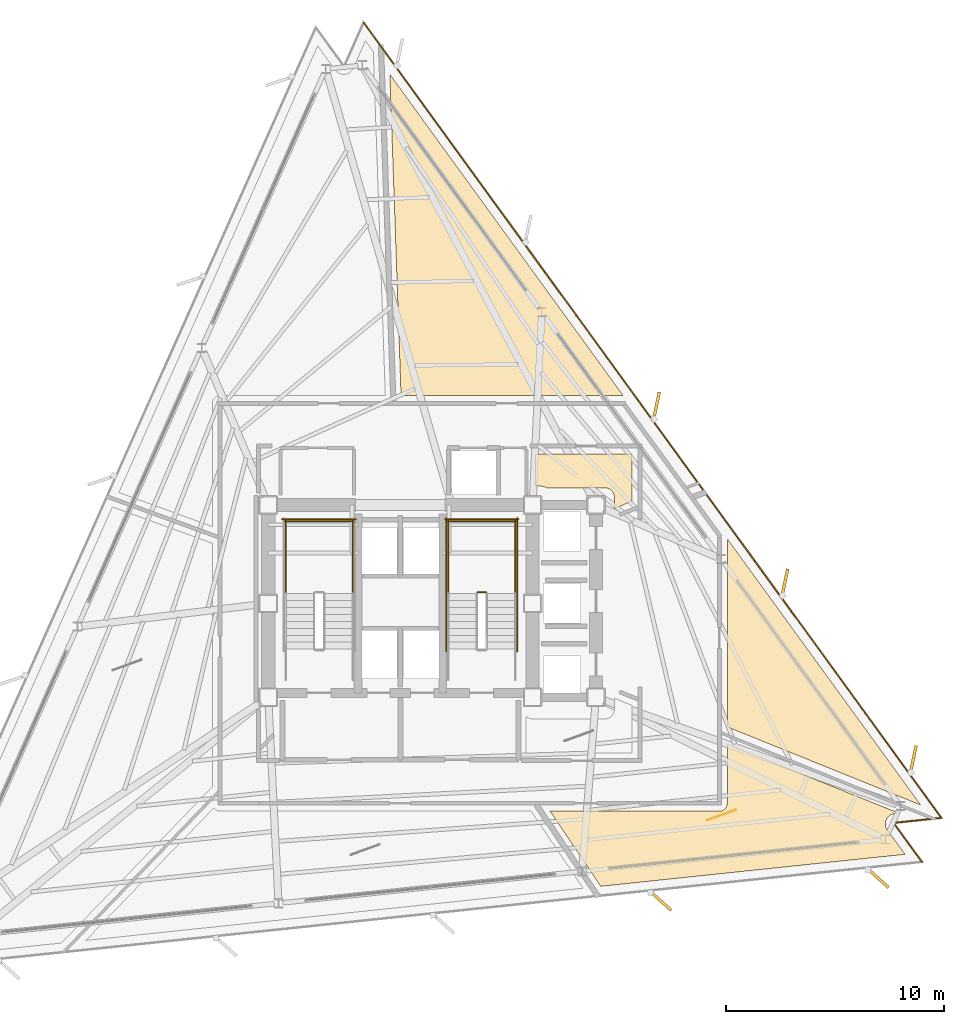
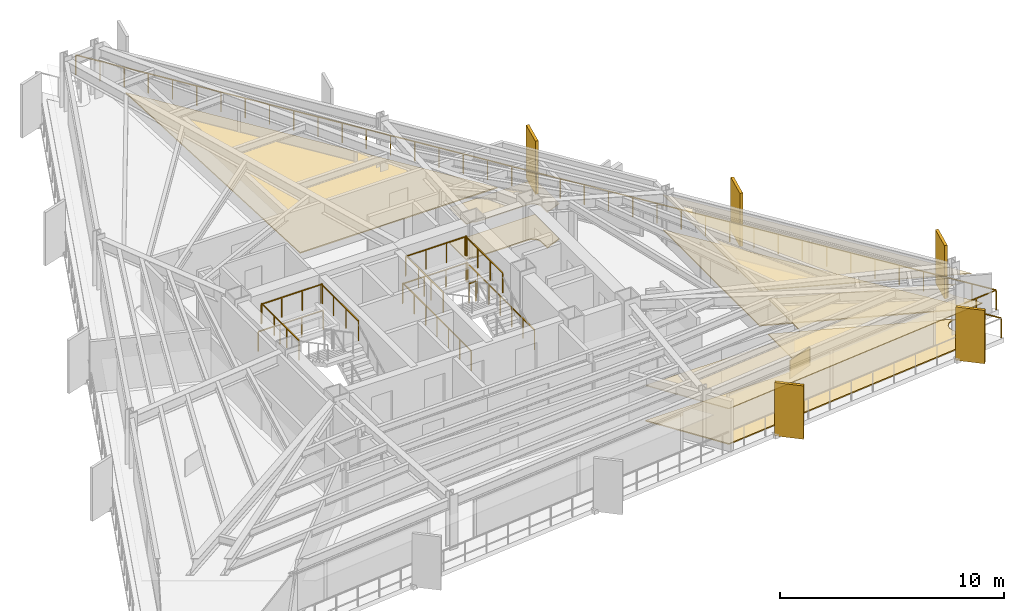
# One storey, part 12 of 13: 12 railings, 8 coverings, 5 shading devices.
"""IFC4 building model written with IfcOpenShell, lengths in metres."""

import ifcopenshell
import ifcopenshell.guid

model = None  # the IFC model being written
_history = None  # IfcOwnerHistory: only IFC2X3 demands one
_inside = {}  # id of a spatial element -> (the spatial element, [elements in it])
_under = {}  # id of a project, library or spatial element -> (it, [spatial elements below it])
_declared = {}  # id of a project -> (the project, [libraries it declares])
_typed = {}  # id of a type object -> (the type object, [elements of that type])
_made_of = {}  # id of a material, layer set ... -> (it, [elements and type objects made of it])


def new_model(schema):
    """Start an empty IFC model of exactly this schema.

    Asked for "IFC4X3", IfcOpenShell would pick the latest addendum, in which some entities
    have other attributes; the version numbers below select the first issue.
    IFC2X3 requires an IfcOwnerHistory on every rooted entity: one is made here for all.
    """
    global model, _history
    if schema == "IFC4X3":
        model = ifcopenshell.file(schema_version=(4, 3, 0, 0))
    else:
        model = ifcopenshell.file(schema=schema)
    _inside.clear()
    _under.clear()
    _declared.clear()
    _typed.clear()
    _made_of.clear()
    _history = None
    if model.schema == "IFC2X3":
        org = make("IfcOrganization", Name="unknown")
        user = make(
            "IfcPersonAndOrganization",
            ThePerson=make("IfcPerson", FamilyName="unknown"),
            TheOrganization=org,
        )
        app = make(
            "IfcApplication",
            ApplicationDeveloper=org,
            Version="unknown",
            ApplicationFullName="unknown",
            ApplicationIdentifier="unknown",
        )
        _history = make(
            "IfcOwnerHistory",
            OwningUser=user,
            OwningApplication=app,
            ChangeAction="ADDED",
            CreationDate=0,
        )
    return model


def make(cls, **values):
    """One entity of the class cls with the attributes given. An attribute that is None is left unset."""
    return model.create_entity(
        cls, **{name: value for name, value in values.items() if value is not None}
    )


def rooted(cls, **values):
    """An entity with a GlobalId (a new one), such as an element, a storey or a relation."""
    return make(cls, GlobalId=ifcopenshell.guid.new(), OwnerHistory=_history, **values)


def si_unit(unit_type, name, prefix=None):
    """IfcSIUnit, for example si_unit("LENGTHUNIT", "METRE", prefix="MILLI")."""
    return make("IfcSIUnit", UnitType=unit_type, Prefix=prefix, Name=name)


def assignment(units):
    """IfcUnitAssignment: the units of a project."""
    return None if units is None else make("IfcUnitAssignment", Units=units)


def point(xyz):
    """IfcCartesianPoint."""
    return None if xyz is None else make("IfcCartesianPoint", Coordinates=xyz)


def direction(xyz):
    """IfcDirection."""
    return None if xyz is None else make("IfcDirection", DirectionRatios=xyz)


def frame(location, z_axis=None, x_axis=None):
    """IfcAxis2Placement3D, a coordinate frame: its origin and axes. An axis left out is left unset."""
    return make(
        "IfcAxis2Placement3D",
        Location=point(location),
        Axis=direction(z_axis),
        RefDirection=direction(x_axis),
    )


def frame_2d(location, x_axis=None):
    """IfcAxis2Placement2D, a coordinate frame in the plane: its origin and x axis."""
    return make(
        "IfcAxis2Placement2D", Location=point(location), RefDirection=direction(x_axis)
    )


def origin():
    """The frame at (0, 0, 0) with its axes left unset."""
    return frame((0.0, 0.0, 0.0))


def origin_2d():
    """The frame at (0, 0) in the plane with its x axis left unset."""
    return frame_2d((0.0, 0.0))


def place(relative_to, where):
    """IfcLocalPlacement: puts the frame where relative to a parent placement (None: the world)."""
    return make(
        "IfcLocalPlacement", PlacementRelTo=relative_to, RelativePlacement=where
    )


def context(
    kind, dimensions, precision=None, world=None, true_north=None, identifier=None
):
    """IfcGeometricRepresentationContext, for example the 3D "Model" context."""
    return make(
        "IfcGeometricRepresentationContext",
        ContextIdentifier=identifier,
        ContextType=kind,
        CoordinateSpaceDimension=dimensions,
        Precision=precision,
        WorldCoordinateSystem=world,
        TrueNorth=true_north,
    )


def subcontext(parent, identifier, kind, view, scale=None):
    """IfcGeometricRepresentationSubContext, for example "Body" below "Model"."""
    return make(
        "IfcGeometricRepresentationSubContext",
        ContextIdentifier=identifier,
        ContextType=kind,
        ParentContext=parent,
        TargetScale=scale,
        TargetView=view,
    )


def project(units=None, contexts=None):
    """IfcProject with its units and contexts."""
    return rooted(
        "IfcProject",
        Name="project",
        RepresentationContexts=contexts,
        UnitsInContext=assignment(units),
    )


def spatial(cls, under=None, at=None, **own):
    """A site, building, storey or space (cls), placed at a placement, below another one or the project."""
    s = rooted(cls, ObjectPlacement=at, **own)
    if under is not None:
        _under.setdefault(under.id(), (under, []))[1].append(s)
    return s


def polyline(points):
    """IfcPolyline through the points."""
    return make("IfcPolyline", Points=[point(p) for p in points])


def profile(cls, at=None, kind="AREA", **sizes):
    """A parametric profile (cls). Its sizes go by their IFC names, for example OverallWidth=200.0."""
    return make(cls, ProfileType=kind, Position=at, **sizes)


def rectangle(**sizes):
    """IfcRectangleProfileDef."""
    return profile("IfcRectangleProfileDef", **sizes)


def outline(outer, holes=None, kind="AREA"):
    """IfcArbitraryClosedProfileDef: a profile drawn as a closed curve; with holes, ...WithVoids."""
    if holes is None:
        return make("IfcArbitraryClosedProfileDef", ProfileType=kind, OuterCurve=outer)
    return make(
        "IfcArbitraryProfileDefWithVoids",
        ProfileType=kind,
        OuterCurve=outer,
        InnerCurves=holes,
    )


def extrude(swept, where, along, depth):
    """IfcExtrudedAreaSolid: the profile swept, set in the frame where, extruded along a direction by depth."""
    return make(
        "IfcExtrudedAreaSolid",
        SweptArea=swept,
        Position=where,
        ExtrudedDirection=direction(along),
        Depth=depth,
    )


def shape(context_of_items, identifier, shape_type, items):
    """IfcShapeRepresentation: the items that make up one representation, for example the "Body"."""
    return make(
        "IfcShapeRepresentation",
        ContextOfItems=context_of_items,
        RepresentationIdentifier=identifier,
        RepresentationType=shape_type,
        Items=items,
    )


def material(Name=None, Category=None):
    """IfcMaterial."""
    return make("IfcMaterial", Name=Name, Category=Category)


def layer(
    of_material, thickness, ventilated=None, Name=None, Category=None, Priority=None
):
    """IfcMaterialLayer: one layer of a wall or slab, of a material (None: an air gap)."""
    return make(
        "IfcMaterialLayer",
        Material=of_material,
        LayerThickness=thickness,
        IsVentilated=ventilated,
        Name=Name,
        Category=Category,
        Priority=Priority,
    )


def layer_set(layers, Name=None):
    """IfcMaterialLayerSet."""
    return make("IfcMaterialLayerSet", MaterialLayers=layers, LayerSetName=Name)


def made_of(thing, what):
    """Note that an element or type object is made of a material, layer set ...; save() writes the relation."""
    if what is not None:
        _made_of.setdefault(what.id(), (what, []))[1].append(thing)
    return thing


def type_object(cls, material=None, **own):
    """A type object (cls), such as IfcWallType, which elements share."""
    return made_of(rooted(cls, **own), material)


def element(
    cls,
    number,
    at=None,
    inside=None,
    cuts=None,
    type_object=None,
    material=None,
    context=None,
    identifier="Body",
    shape_type=None,
    held_by="IfcProductDefinitionShape",
    body=None,
    shapes=None,
    **own,
):
    """One element of the class cls, such as IfcWall. Its Tag is "e" and its number.

    at: its placement. inside: the storey or other place that contains it. cuts: it is an
    opening in that element (IfcRelVoidsElement). A single representation is given by context,
    identifier, shape_type and body (its items); several are given by shapes. held_by: the class
    of the entity that holds the representations. save() writes the other relations.
    """
    e = rooted(cls, Tag="e%d" % number, ObjectPlacement=at, **own)
    if body is not None:
        shapes = [shape(context, identifier, shape_type, body)]
    if shapes is not None:
        e.Representation = make(held_by, Representations=shapes)
    if inside is not None:
        _inside.setdefault(inside.id(), (inside, []))[1].append(e)
    if cuts is not None:
        rooted(
            "IfcRelVoidsElement", RelatingBuildingElement=cuts, RelatedOpeningElement=e
        )
    if type_object is not None:
        _typed.setdefault(type_object.id(), (type_object, []))[1].append(e)
    return made_of(e, material)


def aggregate(whole, parts):
    """IfcRelAggregates: a whole, such as a stair, and the parts it consists of."""
    return rooted("IfcRelAggregates", RelatingObject=whole, RelatedObjects=parts)


def save(model, path):
    """Write the relations noted so far, then the file.

    IfcRelAggregates (storeys below a building ...), IfcRelContainedInSpatialStructure (elements
    in a storey), IfcRelDefinesByType, IfcRelAssociatesMaterial and IfcRelDeclares: one each for
    every whole, place, type object, material and project.
    """
    for whole, parts in _under.values():
        aggregate(whole, parts)
    for where, things in _inside.values():
        rooted(
            "IfcRelContainedInSpatialStructure",
            RelatedElements=things,
            RelatingStructure=where,
        )
    for kind, things in _typed.values():
        rooted("IfcRelDefinesByType", RelatedObjects=things, RelatingType=kind)
    for what, things in _made_of.values():
        rooted("IfcRelAssociatesMaterial", RelatedObjects=things, RelatingMaterial=what)
    for by, libraries in _declared.values():
        rooted("IfcRelDeclares", RelatingContext=by, RelatedDefinitions=libraries)
    model.write(path)


model = new_model("IFC4")

# Units and contexts
model_context = context("Model", 3, precision=1e-05, world=origin(), true_north=direction((0.0, 1.0)))
body_context = subcontext(model_context, "Body", "Model", "MODEL_VIEW")
ifc_project = project(units=[si_unit("LENGTHUNIT", "METRE"), si_unit("AREAUNIT", "SQUARE_METRE"), si_unit("VOLUMEUNIT", "CUBIC_METRE"), si_unit("PLANEANGLEUNIT", "RADIAN"), si_unit("MASSUNIT", "GRAM", prefix="KILO")], contexts=[model_context])

# Site, building, storey
site_placement = place(None, origin())
site = spatial("IfcSite", under=ifc_project, at=site_placement, CompositionType="ELEMENT")
building_placement = place(site_placement, origin())
building = spatial("IfcBuilding", under=site, at=building_placement, Name="Rocaltana Carrier Exchange", CompositionType="ELEMENT")
storey_placement = place(building_placement, frame((0.0, 0.0, 119.840087890625)))
storey = spatial("IfcBuildingStorey", under=building, at=storey_placement, Name="L37", CompositionType="ELEMENT", Elevation=119.840087890625)

# Coverings
ifc_material_1 = material(Name="Calcium Sulphate & Aluminium Pedestal", Category="aluminium")
ifc_layer_1 = layer(ifc_material_1, 0.06005859375)
ifc_layer_set_1 = layer_set([ifc_layer_1], Name="Calcium Sulphate & Aluminium Pedestal")
covering_type_1 = type_object("IfcCoveringType", Name="Anti-Static Raised Exchange Access Floor 60", PredefinedType="FLOORING", material=ifc_layer_set_1)
covering_1_placement = place(storey_placement, origin())
element("IfcCovering", 1, at=covering_1_placement, inside=storey, type_object=covering_type_1, Name="L37 Optical Switching Laboratory Finish Floor", PredefinedType="FLOORING", context=body_context, shape_type="SweptSolid", body=[
    extrude(outline(polyline([(22.62939453125, -9.620361328125), (22.61572265625, -9.6220703125), (22.595947265625, -9.625244140625), (22.568603515625, -9.630859375), (22.54931640625, -9.635986328125), (22.522705078125, -9.644287109375), (22.50390625, -9.651123046875), (22.478271484375, -9.662109375), (22.46044921875, -9.6708984375), (22.43603515625, -9.684326171875), (22.4189453125, -9.69482421875), (22.39599609375, -9.710693359375), (22.380126953125, -9.722900390625), (22.35888671875, -9.74072265625), (22.344482421875, -9.75439453125), (22.324951171875, -9.774658203125), (22.311767578125, -9.78955078125), (22.294677734375, -9.8115234375), (22.282958984375, -9.82763671875), (22.26806640625, -9.851318359375), (22.258056640625, -9.86865234375), (22.24560546875, -9.8935546875), (22.2373046875, -9.91162109375), (22.227294921875, -9.937744140625), (22.220947265625, -9.956787109375), (22.213623046875, -9.983642578125), (22.209228515625, -10.0029296875), (22.20458984375, -10.030517578125), (22.2021484375, -10.05029296875), (22.2001953125, -10.078125), (22.19970703125, -10.09814453125), (22.20068359375, -10.1259765625), (22.202392578125, -10.14599609375), (22.205810546875, -10.173583984375), (22.20947265625, -10.193115234375), (22.2158203125, -10.220458984375), (22.22119140625, -10.239501953125), (22.230224609375, -10.26611328125), (22.23779296875, -10.284423828125), (22.249267578125, -10.309814453125), (22.258544921875, -10.32763671875), (22.272705078125, -10.351806640625), (22.283447265625, -10.368408203125), (22.29150390625, -10.3798828125), (23.095947265625, -11.487060546875), (9.169677734375, -12.95068359375), (6.848876953125, -9.510009765625), (14.60009765625, -9.510009765625), (14.61376953125, -9.509765625), (14.62158203125, -9.50927734375), (14.64892578125, -9.506591796875), (14.65673828125, -9.50537109375), (14.68359375, -9.5), (14.69140625, -9.498291015625), (14.717529296875, -9.490234375), (14.724853515625, -9.487548828125), (14.750244140625, -9.47705078125), (14.75732421875, -9.4736328125), (14.78173828125, -9.460693359375), (14.788330078125, -9.456787109375), (14.811279296875, -9.44140625), (14.8173828125, -9.436767578125), (14.8388671875, -9.419189453125), (14.844482421875, -9.4140625), (14.864013671875, -9.39453125), (14.869384765625, -9.388916015625), (14.88671875, -9.367431640625), (14.891357421875, -9.361083984375), (14.90673828125, -9.33837890625), (14.91064453125, -9.331787109375), (14.923583984375, -9.307373046875), (14.927001953125, -9.30029296875), (14.9375, -9.27490234375), (14.940185546875, -9.267578125), (14.9482421875, -9.2412109375), (14.9501953125, -9.233642578125), (14.955322265625, -9.206787109375), (14.95654296875, -9.198974609375), (14.959228515625, -9.171630859375), (14.959716796875, -9.163818359375), (14.9599609375, -9.14990234375), (14.9599609375, -6.4326171875), (22.8046875, -9.601806640625), (22.62939453125, -9.620361328125)])), origin(), (0.0, 0.0, 1.0), 0.059814453125),
])
covering_2_placement = place(storey_placement, origin())
element("IfcCovering", 2, at=covering_2_placement, inside=storey, type_object=covering_type_1, Name="L37 Quiet Focus Lounge Finish Floor", PredefinedType="FLOORING", context=body_context, shape_type="SweptSolid", body=[
    extrude(outline(polyline([(14.9599609375, 2.952392578125), (23.813232421875, -9.23291015625), (14.9599609375, -5.656005859375), (14.9599609375, 2.952392578125)])), origin(), (0.0, 0.0, 1.0), 0.059814453125),
])
covering_3_placement = place(storey_placement, origin())
element("IfcCovering", 3, at=covering_3_placement, inside=storey, type_object=covering_type_1, Name="L37 Peering Conference Room Finish Floor", PredefinedType="FLOORING", context=body_context, shape_type="SweptSolid", body=[
    extrude(outline(polyline([(6.18994140625, 6.840087890625), (10.60009765625, 6.840087890625), (10.60009765625, 4.6708984375), (9.7900390625, 4.34375), (9.7900390625, 4.85009765625), (9.789794921875, 4.86376953125), (9.788818359375, 4.87939453125), (9.7861328125, 4.90673828125), (9.783935546875, 4.92236328125), (9.778564453125, 4.94921875), (9.774658203125, 4.964599609375), (9.7666015625, 4.99072265625), (9.761474609375, 5.005615234375), (9.7509765625, 5.031005859375), (9.744140625, 5.045166015625), (9.731201171875, 5.0693359375), (9.72314453125, 5.082763671875), (9.7080078125, 5.105712890625), (9.698486328125, 5.118408203125), (9.68115234375, 5.139404296875), (9.670654296875, 5.151123046875), (9.651123046875, 5.170654296875), (9.639404296875, 5.18115234375), (9.618408203125, 5.198486328125), (9.605712890625, 5.2080078125), (9.582763671875, 5.22314453125), (9.5693359375, 5.231201171875), (9.545166015625, 5.244140625), (9.531005859375, 5.2509765625), (9.505615234375, 5.261474609375), (9.49072265625, 5.2666015625), (9.464599609375, 5.274658203125), (9.44921875, 5.278564453125), (9.42236328125, 5.283935546875), (9.40673828125, 5.2861328125), (9.37939453125, 5.288818359375), (9.36376953125, 5.289794921875), (9.35009765625, 5.2900390625), (6.6875, 5.2900390625), (6.682861328125, 5.293212890625), (6.66943359375, 5.30126953125), (6.64501953125, 5.314208984375), (6.630859375, 5.32080078125), (6.605712890625, 5.33154296875), (6.5908203125, 5.336669921875), (6.564453125, 5.3447265625), (6.54931640625, 5.348388671875), (6.522216796875, 5.35400390625), (6.5068359375, 5.356201171875), (6.4794921875, 5.35888671875), (6.463623046875, 5.359619140625), (6.449951171875, 5.360107421875), (6.18994140625, 5.360107421875), (6.18994140625, 6.840087890625)])), origin(), (0.0, 0.0, 1.0), 0.059814453125),
])
covering_4_placement = place(storey_placement, origin())
element("IfcCovering", 4, at=covering_4_placement, inside=storey, type_object=covering_type_1, Name="L37 Quiet Focus Lounge Finish Floor", PredefinedType="FLOORING", context=body_context, shape_type="SweptSolid", body=[
    extrude(outline(polyline([(10.19580078125, 9.510009765625), (0.028076171875, 9.510009765625), (-0.485107421875, 24.2109375), (10.19580078125, 9.510009765625)])), origin(), (0.0, 0.0, 1.0), 0.059814453125),
])
ifc_material_2 = material(Name="Mineral Fibre & Powder-Coated Aluminium", Category="aluminium")
ifc_layer_2 = layer(ifc_material_2, 0.044921875)
ifc_layer_set_2 = layer_set([ifc_layer_2], Name="Mineral Fibre & Powder-Coated Aluminium")
covering_type_2 = type_object("IfcCoveringType", Name="Micro-Perforated Acoustic Ceiling 45", PredefinedType="CEILING", material=ifc_layer_set_2)
covering_5_placement = place(storey_placement, frame((0.0, 0.0, 1.932861328125)))
element("IfcCovering", 5, at=covering_5_placement, inside=storey, type_object=covering_type_2, Name="L37 Optical Switching Laboratory Acoustic Ceiling", PredefinedType="CEILING", context=body_context, shape_type="SweptSolid", body=[
    extrude(outline(polyline([(22.62939453125, -9.620361328125), (22.61572265625, -9.6220703125), (22.595947265625, -9.625244140625), (22.568603515625, -9.630859375), (22.54931640625, -9.635986328125), (22.522705078125, -9.644287109375), (22.50390625, -9.651123046875), (22.478271484375, -9.662109375), (22.46044921875, -9.6708984375), (22.43603515625, -9.684326171875), (22.4189453125, -9.69482421875), (22.39599609375, -9.710693359375), (22.380126953125, -9.722900390625), (22.35888671875, -9.74072265625), (22.344482421875, -9.75439453125), (22.324951171875, -9.774658203125), (22.311767578125, -9.78955078125), (22.294677734375, -9.8115234375), (22.282958984375, -9.82763671875), (22.26806640625, -9.851318359375), (22.258056640625, -9.86865234375), (22.24560546875, -9.8935546875), (22.2373046875, -9.91162109375), (22.227294921875, -9.937744140625), (22.220947265625, -9.956787109375), (22.213623046875, -9.983642578125), (22.209228515625, -10.0029296875), (22.20458984375, -10.030517578125), (22.2021484375, -10.05029296875), (22.2001953125, -10.078125), (22.19970703125, -10.09814453125), (22.20068359375, -10.1259765625), (22.202392578125, -10.14599609375), (22.205810546875, -10.173583984375), (22.20947265625, -10.193115234375), (22.2158203125, -10.220458984375), (22.22119140625, -10.239501953125), (22.230224609375, -10.26611328125), (22.23779296875, -10.284423828125), (22.249267578125, -10.309814453125), (22.258544921875, -10.32763671875), (22.272705078125, -10.351806640625), (22.283447265625, -10.368408203125), (22.29150390625, -10.3798828125), (23.095947265625, -11.487060546875), (9.169677734375, -12.95068359375), (6.848876953125, -9.510009765625), (14.60009765625, -9.510009765625), (14.61376953125, -9.509765625), (14.62158203125, -9.50927734375), (14.64892578125, -9.506591796875), (14.65673828125, -9.50537109375), (14.68359375, -9.5), (14.69140625, -9.498291015625), (14.717529296875, -9.490234375), (14.724853515625, -9.487548828125), (14.750244140625, -9.47705078125), (14.75732421875, -9.4736328125), (14.78173828125, -9.460693359375), (14.788330078125, -9.456787109375), (14.811279296875, -9.44140625), (14.8173828125, -9.436767578125), (14.8388671875, -9.419189453125), (14.844482421875, -9.4140625), (14.864013671875, -9.39453125), (14.869384765625, -9.388916015625), (14.88671875, -9.367431640625), (14.891357421875, -9.361083984375), (14.90673828125, -9.33837890625), (14.91064453125, -9.331787109375), (14.923583984375, -9.307373046875), (14.927001953125, -9.30029296875), (14.9375, -9.27490234375), (14.940185546875, -9.267578125), (14.9482421875, -9.2412109375), (14.9501953125, -9.233642578125), (14.955322265625, -9.206787109375), (14.95654296875, -9.198974609375), (14.959228515625, -9.171630859375), (14.959716796875, -9.163818359375), (14.9599609375, -9.14990234375), (14.9599609375, -6.4326171875), (22.8046875, -9.601806640625), (22.62939453125, -9.620361328125)])), origin(), (0.0, 0.0, 1.0), 0.045166015625),
])
covering_6_placement = place(storey_placement, frame((0.0, 0.0, 1.932861328125)))
element("IfcCovering", 6, at=covering_6_placement, inside=storey, type_object=covering_type_2, Name="L37 Quiet Focus Lounge Acoustic Ceiling", PredefinedType="CEILING", context=body_context, shape_type="SweptSolid", body=[
    extrude(outline(polyline([(14.9599609375, 2.952392578125), (23.813232421875, -9.23291015625), (14.9599609375, -5.656005859375), (14.9599609375, 2.952392578125)])), origin(), (0.0, 0.0, 1.0), 0.045166015625),
])
covering_7_placement = place(storey_placement, frame((0.0, 0.0, 1.932861328125)))
element("IfcCovering", 7, at=covering_7_placement, inside=storey, type_object=covering_type_2, Name="L37 Peering Conference Room Acoustic Ceiling", PredefinedType="CEILING", context=body_context, shape_type="SweptSolid", body=[
    extrude(outline(polyline([(6.18994140625, 6.840087890625), (10.60009765625, 6.840087890625), (10.60009765625, 4.6708984375), (9.7900390625, 4.34375), (9.7900390625, 4.85009765625), (9.789794921875, 4.86376953125), (9.788818359375, 4.87939453125), (9.7861328125, 4.90673828125), (9.783935546875, 4.92236328125), (9.778564453125, 4.94921875), (9.774658203125, 4.964599609375), (9.7666015625, 4.99072265625), (9.761474609375, 5.005615234375), (9.7509765625, 5.031005859375), (9.744140625, 5.045166015625), (9.731201171875, 5.0693359375), (9.72314453125, 5.082763671875), (9.7080078125, 5.105712890625), (9.698486328125, 5.118408203125), (9.68115234375, 5.139404296875), (9.670654296875, 5.151123046875), (9.651123046875, 5.170654296875), (9.639404296875, 5.18115234375), (9.618408203125, 5.198486328125), (9.605712890625, 5.2080078125), (9.582763671875, 5.22314453125), (9.5693359375, 5.231201171875), (9.545166015625, 5.244140625), (9.531005859375, 5.2509765625), (9.505615234375, 5.261474609375), (9.49072265625, 5.2666015625), (9.464599609375, 5.274658203125), (9.44921875, 5.278564453125), (9.42236328125, 5.283935546875), (9.40673828125, 5.2861328125), (9.37939453125, 5.288818359375), (9.36376953125, 5.289794921875), (9.35009765625, 5.2900390625), (6.6875, 5.2900390625), (6.682861328125, 5.293212890625), (6.66943359375, 5.30126953125), (6.64501953125, 5.314208984375), (6.630859375, 5.32080078125), (6.605712890625, 5.33154296875), (6.5908203125, 5.336669921875), (6.564453125, 5.3447265625), (6.54931640625, 5.348388671875), (6.522216796875, 5.35400390625), (6.5068359375, 5.356201171875), (6.4794921875, 5.35888671875), (6.463623046875, 5.359619140625), (6.449951171875, 5.360107421875), (6.18994140625, 5.360107421875), (6.18994140625, 6.840087890625)])), origin(), (0.0, 0.0, 1.0), 0.045166015625),
])

# Railings
ifc_material_3 = material(Name="Powder-Coated Aluminium 6063-T6", Category="aluminium")
ifc_layer_3 = layer(ifc_material_3, 0.048095703125)
ifc_layer_set_3 = layer_set([ifc_layer_3], Name="Powder-Coated Aluminium 6063-T6")
railing_type_1 = type_object("IfcRailingType", Name="Stair Well Guardrail 1100", PredefinedType="GUARDRAIL", material=ifc_layer_set_3)
for number, where, name in (
    (8, (-2.18994140625, 0.4599609375, 1.52001953125), "L37 ST-1 stair guard 3"),
    (9, (-5.25, 0.4599609375, 1.52001953125), "L37 ST-1 stair guard 4"),
):
    element("IfcRailing", number, at=place(storey_placement, frame(where)), inside=storey, type_object=railing_type_1, Name=name, PredefinedType="GUARDRAIL", context=body_context, shape_type="SweptSolid", body=[
        extrude(rectangle(XDim=0.048095703125, YDim=0.048095703125, at=origin_2d()), frame((0.0, 0.0, 1.076171875), z_axis=(0.0, 1.0, 0.0), x_axis=(-1.0, 0.0, 0.0)), (0.0, 0.0, 1.0), 3.340087890625),
        extrude(rectangle(XDim=0.0419921875, YDim=0.0419921875, at=origin_2d()), origin(), (0.0, 0.0, 1.0), 1.052001953125),
        extrude(rectangle(XDim=0.0419921875, YDim=0.0419921875, at=origin_2d()), frame((0.0, 1.11328125, 0.0)), (0.0, 0.0, 1.0), 1.052001953125),
        extrude(rectangle(XDim=0.0419921875, YDim=0.0419921875, at=origin_2d()), frame((0.0, 2.226806640625, 0.0)), (0.0, 0.0, 1.0), 1.052001953125),
        extrude(rectangle(XDim=0.0419921875, YDim=0.0419921875, at=origin_2d()), frame((0.0, 3.340087890625, 0.0)), (0.0, 0.0, 1.0), 1.052001953125),
    ])
railing_1_placement = place(storey_placement, frame((-2.139892578125, 3.75, 1.52001953125)))
element("IfcRailing", 10, at=railing_1_placement, inside=storey, type_object=railing_type_1, Name="L37 ST-1 stair guard 5", PredefinedType="GUARDRAIL", context=body_context, shape_type="SweptSolid", body=[
    extrude(rectangle(XDim=0.048095703125, YDim=0.048095703125, at=origin_2d()), frame((0.0, 0.0, 1.076171875), z_axis=(-1.0, 0.0, 0.0), x_axis=(0.0, -1.0, 0.0)), (0.0, 0.0, 1.0), 3.16015625),
    extrude(rectangle(XDim=0.0419921875, YDim=0.0419921875, at=origin_2d()), origin(), (0.0, 0.0, 1.0), 1.052001953125),
    extrude(rectangle(XDim=0.0419921875, YDim=0.0419921875, at=origin_2d()), frame((-1.053466796875, 0.0, 0.0)), (0.0, 0.0, 1.0), 1.052001953125),
    extrude(rectangle(XDim=0.0419921875, YDim=0.0419921875, at=origin_2d()), frame((-2.106689453125, 0.0, 0.0)), (0.0, 0.0, 1.0), 1.052001953125),
    extrude(rectangle(XDim=0.0419921875, YDim=0.0419921875, at=origin_2d()), frame((-3.16015625, 0.0, 0.0)), (0.0, 0.0, 1.0), 1.052001953125),
])
railing_2_placement = place(storey_placement, frame((-2.0400390625, 3.85009765625, 0.0)))
element("IfcRailing", 11, at=railing_2_placement, inside=storey, type_object=railing_type_1, Name="L37 ST-1 stair guard 12", PredefinedType="GUARDRAIL", context=body_context, shape_type="SweptSolid", body=[
    extrude(rectangle(XDim=0.048095703125, YDim=0.048095703125, at=origin_2d()), frame((0.0, 0.0, 1.076171875), z_axis=(-1.0, 0.0, 0.0), x_axis=(0.0, -1.0, 0.0)), (0.0, 0.0, 1.0), 3.35986328125),
    extrude(rectangle(XDim=0.0419921875, YDim=0.0419921875, at=origin_2d()), origin(), (0.0, 0.0, 1.0), 1.052001953125),
    extrude(rectangle(XDim=0.0419921875, YDim=0.0419921875, at=origin_2d()), frame((-1.119873046875, 0.0, 0.0)), (0.0, 0.0, 1.0), 1.052001953125),
    extrude(rectangle(XDim=0.0419921875, YDim=0.0419921875, at=origin_2d()), frame((-2.239990234375, 0.0, 0.0)), (0.0, 0.0, 1.0), 1.052001953125),
    extrude(rectangle(XDim=0.0419921875, YDim=0.0419921875, at=origin_2d()), frame((-3.35986328125, 0.0, 0.0)), (0.0, 0.0, 1.0), 1.052001953125),
])
railing_3_placement = place(storey_placement, frame((3.89990234375, 0.510009765625, 1.52001953125)))
element("IfcRailing", 12, at=railing_3_placement, inside=storey, type_object=railing_type_1, Name="L37 ST-2 stair guard 2", PredefinedType="GUARDRAIL", context=body_context, shape_type="SweptSolid", body=[
    extrude(rectangle(XDim=0.048095703125, YDim=0.048095703125, at=origin_2d()), frame((0.0, 0.0, 1.076171875), z_axis=(-1.0, 0.0, 0.0), x_axis=(0.0, -1.0, 0.0)), (0.0, 0.0, 1.0), 0.35986328125),
    extrude(rectangle(XDim=0.0419921875, YDim=0.0419921875, at=origin_2d()), origin(), (0.0, 0.0, 1.0), 1.052001953125),
    extrude(rectangle(XDim=0.0419921875, YDim=0.0419921875, at=origin_2d()), frame((-0.35986328125, 0.0, 0.0)), (0.0, 0.0, 1.0), 1.052001953125),
])
for number, where, name in (
    (13, (5.25, 0.4599609375, 1.52001953125), "L37 ST-2 stair guard 3"),
    (14, (2.18994140625, 0.4599609375, 1.52001953125), "L37 ST-2 stair guard 4"),
):
    element("IfcRailing", number, at=place(storey_placement, frame(where)), inside=storey, type_object=railing_type_1, Name=name, PredefinedType="GUARDRAIL", context=body_context, shape_type="SweptSolid", body=[
        extrude(rectangle(XDim=0.048095703125, YDim=0.048095703125, at=origin_2d()), frame((0.0, 0.0, 1.076171875), z_axis=(0.0, 1.0, 0.0), x_axis=(-1.0, 0.0, 0.0)), (0.0, 0.0, 1.0), 3.340087890625),
        extrude(rectangle(XDim=0.0419921875, YDim=0.0419921875, at=origin_2d()), origin(), (0.0, 0.0, 1.0), 1.052001953125),
        extrude(rectangle(XDim=0.0419921875, YDim=0.0419921875, at=origin_2d()), frame((0.0, 1.11328125, 0.0)), (0.0, 0.0, 1.0), 1.052001953125),
        extrude(rectangle(XDim=0.0419921875, YDim=0.0419921875, at=origin_2d()), frame((0.0, 2.226806640625, 0.0)), (0.0, 0.0, 1.0), 1.052001953125),
        extrude(rectangle(XDim=0.0419921875, YDim=0.0419921875, at=origin_2d()), frame((0.0, 3.340087890625, 0.0)), (0.0, 0.0, 1.0), 1.052001953125),
    ])
railing_4_placement = place(storey_placement, frame((5.300048828125, 3.75, 1.52001953125)))
element("IfcRailing", 15, at=railing_4_placement, inside=storey, type_object=railing_type_1, Name="L37 ST-2 stair guard 5", PredefinedType="GUARDRAIL", context=body_context, shape_type="SweptSolid", body=[
    extrude(rectangle(XDim=0.048095703125, YDim=0.048095703125, at=origin_2d()), frame((0.0, 0.0, 1.076171875), z_axis=(-1.0, 0.0, 0.0), x_axis=(0.0, -1.0, 0.0)), (0.0, 0.0, 1.0), 3.16015625),
    extrude(rectangle(XDim=0.0419921875, YDim=0.0419921875, at=origin_2d()), origin(), (0.0, 0.0, 1.0), 1.052001953125),
    extrude(rectangle(XDim=0.0419921875, YDim=0.0419921875, at=origin_2d()), frame((-1.053466796875, 0.0, 0.0)), (0.0, 0.0, 1.0), 1.052001953125),
    extrude(rectangle(XDim=0.0419921875, YDim=0.0419921875, at=origin_2d()), frame((-2.106689453125, 0.0, 0.0)), (0.0, 0.0, 1.0), 1.052001953125),
    extrude(rectangle(XDim=0.0419921875, YDim=0.0419921875, at=origin_2d()), frame((-3.16015625, 0.0, 0.0)), (0.0, 0.0, 1.0), 1.052001953125),
])
for number, where, name in (
    (16, (5.35009765625, -2.199951171875, 0.0), "L37 ST-2 stair guard 10"),
    (17, (2.090087890625, -2.199951171875, 0.0), "L37 ST-2 stair guard 11"),
):
    element("IfcRailing", number, at=place(storey_placement, frame(where)), inside=storey, type_object=railing_type_1, Name=name, PredefinedType="GUARDRAIL", context=body_context, shape_type="SweptSolid", body=[
        extrude(rectangle(XDim=0.048095703125, YDim=0.048095703125, at=origin_2d()), frame((0.0, 0.0, 1.076171875), z_axis=(0.0, 1.0, 0.0), x_axis=(-1.0, 0.0, 0.0)), (0.0, 0.0, 1.0), 6.099853515625),
        extrude(rectangle(XDim=0.0419921875, YDim=0.0419921875, at=origin_2d()), origin(), (0.0, 0.0, 1.0), 1.052001953125),
        extrude(rectangle(XDim=0.0419921875, YDim=0.0419921875, at=origin_2d()), frame((0.0, 1.0166015625, 0.0)), (0.0, 0.0, 1.0), 1.052001953125),
        extrude(rectangle(XDim=0.0419921875, YDim=0.0419921875, at=origin_2d()), frame((0.0, 2.033203125, 0.0)), (0.0, 0.0, 1.0), 1.052001953125),
        extrude(rectangle(XDim=0.0419921875, YDim=0.0419921875, at=origin_2d()), frame((0.0, 3.0498046875, 0.0)), (0.0, 0.0, 1.0), 1.052001953125),
        extrude(rectangle(XDim=0.0419921875, YDim=0.0419921875, at=origin_2d()), frame((0.0, 4.066650390625, 0.0)), (0.0, 0.0, 1.0), 1.052001953125),
        extrude(rectangle(XDim=0.0419921875, YDim=0.0419921875, at=origin_2d()), frame((0.0, 5.083251953125, 0.0)), (0.0, 0.0, 1.0), 1.052001953125),
        extrude(rectangle(XDim=0.0419921875, YDim=0.0419921875, at=origin_2d()), frame((0.0, 6.099853515625, 0.0)), (0.0, 0.0, 1.0), 1.052001953125),
    ])
railing_5_placement = place(storey_placement, frame((5.39990234375, 3.85009765625, 0.0)))
element("IfcRailing", 18, at=railing_5_placement, inside=storey, type_object=railing_type_1, Name="L37 ST-2 stair guard 12", PredefinedType="GUARDRAIL", context=body_context, shape_type="SweptSolid", body=[
    extrude(rectangle(XDim=0.048095703125, YDim=0.048095703125, at=origin_2d()), frame((0.0, 0.0, 1.076171875), z_axis=(-1.0, 0.0, 0.0), x_axis=(0.0, -1.0, 0.0)), (0.0, 0.0, 1.0), 3.35986328125),
    extrude(rectangle(XDim=0.0419921875, YDim=0.0419921875, at=origin_2d()), origin(), (0.0, 0.0, 1.0), 1.052001953125),
    extrude(rectangle(XDim=0.0419921875, YDim=0.0419921875, at=origin_2d()), frame((-1.119873046875, 0.0, 0.0)), (0.0, 0.0, 1.0), 1.052001953125),
    extrude(rectangle(XDim=0.0419921875, YDim=0.0419921875, at=origin_2d()), frame((-2.239990234375, 0.0, 0.0)), (0.0, 0.0, 1.0), 1.052001953125),
    extrude(rectangle(XDim=0.0419921875, YDim=0.0419921875, at=origin_2d()), frame((-3.35986328125, 0.0, 0.0)), (0.0, 0.0, 1.0), 1.052001953125),
])

# Covering
ifc_material_4 = material(Name="Honed Piedra Muneca Sandstone", Category="masonry")
ifc_layer_4 = layer(ifc_material_4, 0.034912109375)
ifc_layer_set_4 = layer_set([ifc_layer_4], Name="Honed Piedra Muneca Sandstone")
covering_type_3 = type_object("IfcCoveringType", Name="Stone Facade Cladding 35", PredefinedType="CLADDING", material=ifc_layer_set_4)
covering_8_placement = place(storey_placement, frame((14.69873046875, -9.689697265625, 0.0), z_axis=(0.0, 0.0, 1.0), x_axis=(0.939692620786, 0.342020143326, 0.0)))
element("IfcCovering", 19, at=covering_8_placement, inside=storey, type_object=covering_type_3, Name="L37 Stone Facade Cladding Panel 4", PredefinedType="CLADDING", context=body_context, shape_type="SweptSolid", body=[
    extrude(rectangle(XDim=1.39990234375, YDim=0.034912109375, at=origin_2d()), origin(), (0.0, 0.0, 1.0), 1.050048828125),
])

# Shading devices
ifc_material_5 = material(Name="Honed Bogota Sandstone & Concrete C45/55", Category="masonry")
ifc_layer_5 = layer(ifc_material_5, 0.139892578125)
ifc_layer_set_5 = layer_set([ifc_layer_5], Name="Honed Bogota Sandstone & Concrete C45/55")
shading_device_type = type_object("IfcShadingDeviceType", Name="Vertical Sandstone Shading Fin 1320x140", PredefinedType="USERDEFINED", material=ifc_layer_set_5)
for number, where, z_axis, x_axis, name in (
    (20, (23.46826171875, -7.15771484375, -0.1201171875), (0.0, 0.0, 1.0), (0.207911690818, 0.978147600734, 0.0), "L37 Sandstone Vertical Fin F1-01"),
    (21, (17.590576171875, 0.932373046875, -0.1201171875), (0.0, 0.0, 1.0), (0.207911690818, 0.978147600734, 0.0), "L37 Sandstone Vertical Fin F1-02"),
    (22, (11.712646484375, 9.0224609375, -0.1201171875), (0.0, 0.0, 1.0), (0.207911690818, 0.978147600734, 0.0), "L37 Sandstone Vertical Fin F1-03"),
    (23, (11.902587890625, -13.609375, -0.1201171875), (0.0, 0.0, 1.0), (0.743144825477, -0.669130606359, 0.0), "L37 Sandstone Vertical Fin F3-04"),
    (24, (21.847900390625, -12.564208984375, -0.1201171875), (0.0, 0.0, 1.0), (0.743144825477, -0.669130606359, 0.0), "L37 Sandstone Vertical Fin F3-05"),
):
    element("IfcShadingDevice", number, at=place(storey_placement, frame(where, z_axis=z_axis, x_axis=x_axis)), inside=storey, type_object=shading_device_type, Name=name, ObjectType="FIN", PredefinedType="USERDEFINED", context=body_context, shape_type="SweptSolid", body=[
        extrude(rectangle(XDim=1.320068359375, YDim=0.139892578125, at=origin_2d()), origin(), (0.0, 0.0, 1.0), 2.907958984375),
    ])

# Railing
ifc_material_6 = material(Name="Powder-Coated Aluminium 6063-T6", Category="aluminium")
ifc_layer_6 = layer(ifc_material_6, 0.06005859375)
ifc_layer_set_6 = layer_set([ifc_layer_6], Name="Powder-Coated Aluminium 6063-T6")
railing_type_2 = type_object("IfcRailingType", Name="Wind-Floor & Terrace Perimeter Guardrail 1100", PredefinedType="GUARDRAIL", material=ifc_layer_set_6)
railing_6_placement = place(storey_placement, frame((-1.687744140625, 26.58056640625, 0.0)))
element("IfcRailing", 25, at=railing_6_placement, inside=storey, type_object=railing_type_2, Name="L37 Perimeter Balcony Guardrail 3", PredefinedType="GUARDRAIL", context=body_context, shape_type="SweptSolid", body=[
    extrude(rectangle(XDim=0.048095703125, YDim=0.048095703125, at=origin_2d()), frame((0.0, 0.0, 1.076171875), z_axis=(0.587786393813, -0.809016165011, 0.0), x_axis=(0.809016165011, 0.587786393813, 0.0)), (0.0, 0.0, 1.0), 44.9921875),
    extrude(rectangle(XDim=0.048095703125, YDim=0.048095703125, at=origin_2d()), frame((26.44580078125, -36.3994140625, 1.076171875), z_axis=(-0.994521251134, -0.104534592565, 0.0), x_axis=(0.104534592565, -0.994521251134, 0.0)), (0.0, 0.0, 1.0), 2.199951171875),
    extrude(rectangle(XDim=0.048095703125, YDim=0.048095703125, at=origin_2d()), frame((24.2578125, -36.62939453125, 1.076171875), z_axis=(0.587821928992, -0.808990345923, 0.0), x_axis=(0.808990345923, 0.587821928992, 0.0)), (0.0, 0.0, 1.0), 2.199951171875),
    extrude(rectangle(XDim=0.0419921875, YDim=0.0419921875, at=origin_2d()), origin(), (0.0, 0.0, 1.0), 1.052001953125),
    extrude(rectangle(XDim=0.0419921875, YDim=0.0419921875, at=origin_2d()), frame((0.696044921875, -0.957763671875, 0.0)), (0.0, 0.0, 1.0), 1.052001953125),
    extrude(rectangle(XDim=0.0419921875, YDim=0.0419921875, at=origin_2d()), frame((1.391845703125, -1.915771484375, 0.0)), (0.0, 0.0, 1.0), 1.052001953125),
    extrude(rectangle(XDim=0.0419921875, YDim=0.0419921875, at=origin_2d()), frame((2.087890625, -2.87353515625, 0.0)), (0.0, 0.0, 1.0), 1.052001953125),
    extrude(rectangle(XDim=0.0419921875, YDim=0.0419921875, at=origin_2d()), frame((2.78369140625, -3.83154296875, 0.0)), (0.0, 0.0, 1.0), 1.052001953125),
    extrude(rectangle(XDim=0.0419921875, YDim=0.0419921875, at=origin_2d()), frame((3.479736328125, -4.789306640625, 0.0)), (0.0, 0.0, 1.0), 1.052001953125),
    extrude(rectangle(XDim=0.0419921875, YDim=0.0419921875, at=origin_2d()), frame((4.175537109375, -5.747314453125, 0.0)), (0.0, 0.0, 1.0), 1.052001953125),
    extrude(rectangle(XDim=0.0419921875, YDim=0.0419921875, at=origin_2d()), frame((4.87158203125, -6.705078125, 0.0)), (0.0, 0.0, 1.0), 1.052001953125),
    extrude(rectangle(XDim=0.0419921875, YDim=0.0419921875, at=origin_2d()), frame((5.567626953125, -7.6630859375, 0.0)), (0.0, 0.0, 1.0), 1.052001953125),
    extrude(rectangle(XDim=0.0419921875, YDim=0.0419921875, at=origin_2d()), frame((6.263427734375, -8.620849609375, 0.0)), (0.0, 0.0, 1.0), 1.052001953125),
    extrude(rectangle(XDim=0.0419921875, YDim=0.0419921875, at=origin_2d()), frame((6.95947265625, -9.578857421875, 0.0)), (0.0, 0.0, 1.0), 1.052001953125),
    extrude(rectangle(XDim=0.0419921875, YDim=0.0419921875, at=origin_2d()), frame((7.6552734375, -10.53662109375, 0.0)), (0.0, 0.0, 1.0), 1.052001953125),
    extrude(rectangle(XDim=0.0419921875, YDim=0.0419921875, at=origin_2d()), frame((8.351318359375, -11.49462890625, 0.0)), (0.0, 0.0, 1.0), 1.052001953125),
    extrude(rectangle(XDim=0.0419921875, YDim=0.0419921875, at=origin_2d()), frame((9.04736328125, -12.452392578125, 0.0)), (0.0, 0.0, 1.0), 1.052001953125),
    extrude(rectangle(XDim=0.0419921875, YDim=0.0419921875, at=origin_2d()), frame((9.7431640625, -13.410400390625, 0.0)), (0.0, 0.0, 1.0), 1.052001953125),
    extrude(rectangle(XDim=0.0419921875, YDim=0.0419921875, at=origin_2d()), frame((10.439208984375, -14.3681640625, 0.0)), (0.0, 0.0, 1.0), 1.052001953125),
    extrude(rectangle(XDim=0.0419921875, YDim=0.0419921875, at=origin_2d()), frame((11.135009765625, -15.326171875, 0.0)), (0.0, 0.0, 1.0), 1.052001953125),
    extrude(rectangle(XDim=0.0419921875, YDim=0.0419921875, at=origin_2d()), frame((11.8310546875, -16.283935546875, 0.0)), (0.0, 0.0, 1.0), 1.052001953125),
    extrude(rectangle(XDim=0.0419921875, YDim=0.0419921875, at=origin_2d()), frame((12.52685546875, -17.241943359375, 0.0)), (0.0, 0.0, 1.0), 1.052001953125),
    extrude(rectangle(XDim=0.0419921875, YDim=0.0419921875, at=origin_2d()), frame((13.222900390625, -18.19970703125, 0.0)), (0.0, 0.0, 1.0), 1.052001953125),
    extrude(rectangle(XDim=0.0419921875, YDim=0.0419921875, at=origin_2d()), frame((13.9189453125, -19.157470703125, 0.0)), (0.0, 0.0, 1.0), 1.052001953125),
    extrude(rectangle(XDim=0.0419921875, YDim=0.0419921875, at=origin_2d()), frame((14.61474609375, -20.115478515625, 0.0)), (0.0, 0.0, 1.0), 1.052001953125),
    extrude(rectangle(XDim=0.0419921875, YDim=0.0419921875, at=origin_2d()), frame((15.310791015625, -21.0732421875, 0.0)), (0.0, 0.0, 1.0), 1.052001953125),
    extrude(rectangle(XDim=0.0419921875, YDim=0.0419921875, at=origin_2d()), frame((16.006591796875, -22.03125, 0.0)), (0.0, 0.0, 1.0), 1.052001953125),
    extrude(rectangle(XDim=0.0419921875, YDim=0.0419921875, at=origin_2d()), frame((16.70263671875, -22.989013671875, 0.0)), (0.0, 0.0, 1.0), 1.052001953125),
    extrude(rectangle(XDim=0.0419921875, YDim=0.0419921875, at=origin_2d()), frame((17.3984375, -23.947021484375, 0.0)), (0.0, 0.0, 1.0), 1.052001953125),
    extrude(rectangle(XDim=0.0419921875, YDim=0.0419921875, at=origin_2d()), frame((18.094482421875, -24.90478515625, 0.0)), (0.0, 0.0, 1.0), 1.052001953125),
    extrude(rectangle(XDim=0.0419921875, YDim=0.0419921875, at=origin_2d()), frame((18.79052734375, -25.86279296875, 0.0)), (0.0, 0.0, 1.0), 1.052001953125),
    extrude(rectangle(XDim=0.0419921875, YDim=0.0419921875, at=origin_2d()), frame((19.486328125, -26.820556640625, 0.0)), (0.0, 0.0, 1.0), 1.052001953125),
    extrude(rectangle(XDim=0.0419921875, YDim=0.0419921875, at=origin_2d()), frame((20.182373046875, -27.778564453125, 0.0)), (0.0, 0.0, 1.0), 1.052001953125),
    extrude(rectangle(XDim=0.0419921875, YDim=0.0419921875, at=origin_2d()), frame((20.878173828125, -28.736328125, 0.0)), (0.0, 0.0, 1.0), 1.052001953125),
    extrude(rectangle(XDim=0.0419921875, YDim=0.0419921875, at=origin_2d()), frame((21.57421875, -29.6943359375, 0.0)), (0.0, 0.0, 1.0), 1.052001953125),
    extrude(rectangle(XDim=0.0419921875, YDim=0.0419921875, at=origin_2d()), frame((22.270263671875, -30.652099609375, 0.0)), (0.0, 0.0, 1.0), 1.052001953125),
    extrude(rectangle(XDim=0.0419921875, YDim=0.0419921875, at=origin_2d()), frame((22.966064453125, -31.610107421875, 0.0)), (0.0, 0.0, 1.0), 1.052001953125),
    extrude(rectangle(XDim=0.0419921875, YDim=0.0419921875, at=origin_2d()), frame((23.662109375, -32.56787109375, 0.0)), (0.0, 0.0, 1.0), 1.052001953125),
    extrude(rectangle(XDim=0.0419921875, YDim=0.0419921875, at=origin_2d()), frame((24.35791015625, -33.52587890625, 0.0)), (0.0, 0.0, 1.0), 1.052001953125),
    extrude(rectangle(XDim=0.0419921875, YDim=0.0419921875, at=origin_2d()), frame((25.053955078125, -34.483642578125, 0.0)), (0.0, 0.0, 1.0), 1.052001953125),
    extrude(rectangle(XDim=0.0419921875, YDim=0.0419921875, at=origin_2d()), frame((25.749755859375, -35.441650390625, 0.0)), (0.0, 0.0, 1.0), 1.052001953125),
    extrude(rectangle(XDim=0.0419921875, YDim=0.0419921875, at=origin_2d()), frame((26.44580078125, -36.3994140625, 0.0)), (0.0, 0.0, 1.0), 1.052001953125),
    extrude(rectangle(XDim=0.0419921875, YDim=0.0419921875, at=origin_2d()), frame((25.351806640625, -36.514404296875, 0.0)), (0.0, 0.0, 1.0), 1.052001953125),
    extrude(rectangle(XDim=0.0419921875, YDim=0.0419921875, at=origin_2d()), frame((24.2578125, -36.62939453125, 0.0)), (0.0, 0.0, 1.0), 1.052001953125),
    extrude(rectangle(XDim=0.0419921875, YDim=0.0419921875, at=origin_2d()), frame((24.904296875, -37.519287109375, 0.0)), (0.0, 0.0, 1.0), 1.052001953125),
    extrude(rectangle(XDim=0.0419921875, YDim=0.0419921875, at=origin_2d()), frame((25.551025390625, -38.4091796875, 0.0)), (0.0, 0.0, 1.0), 1.052001953125),
])

save(model, "model.ifc")
